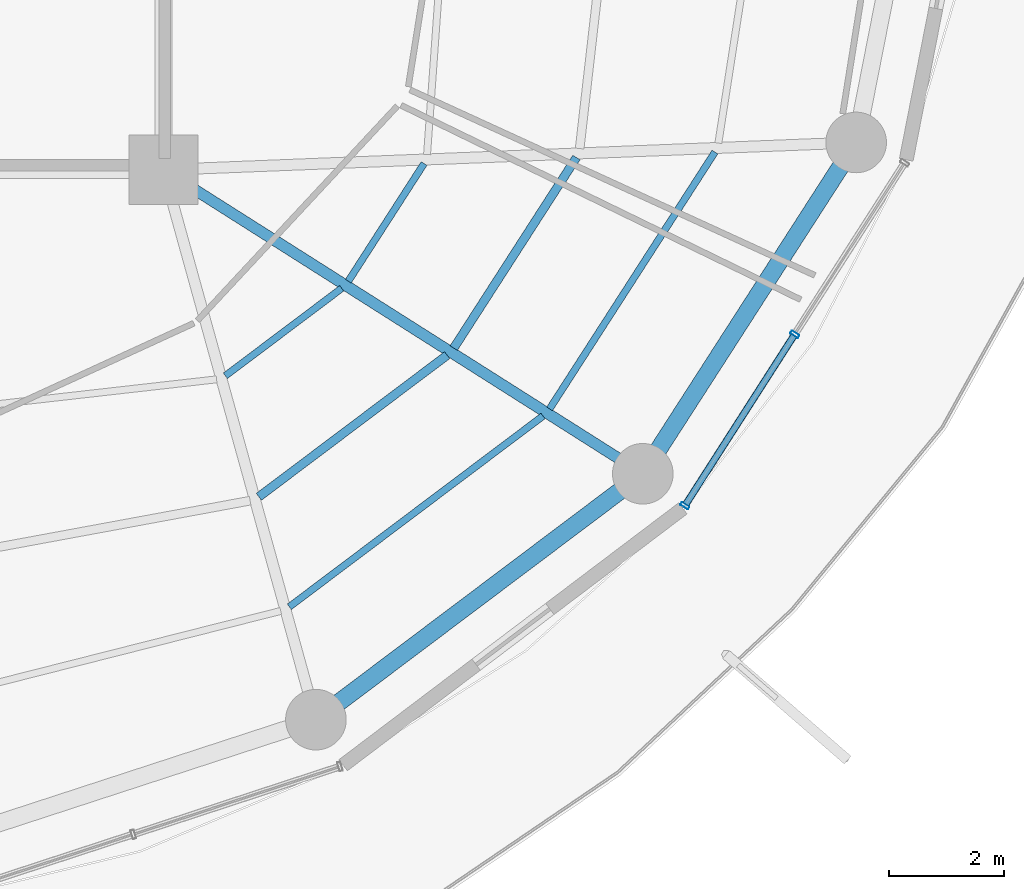
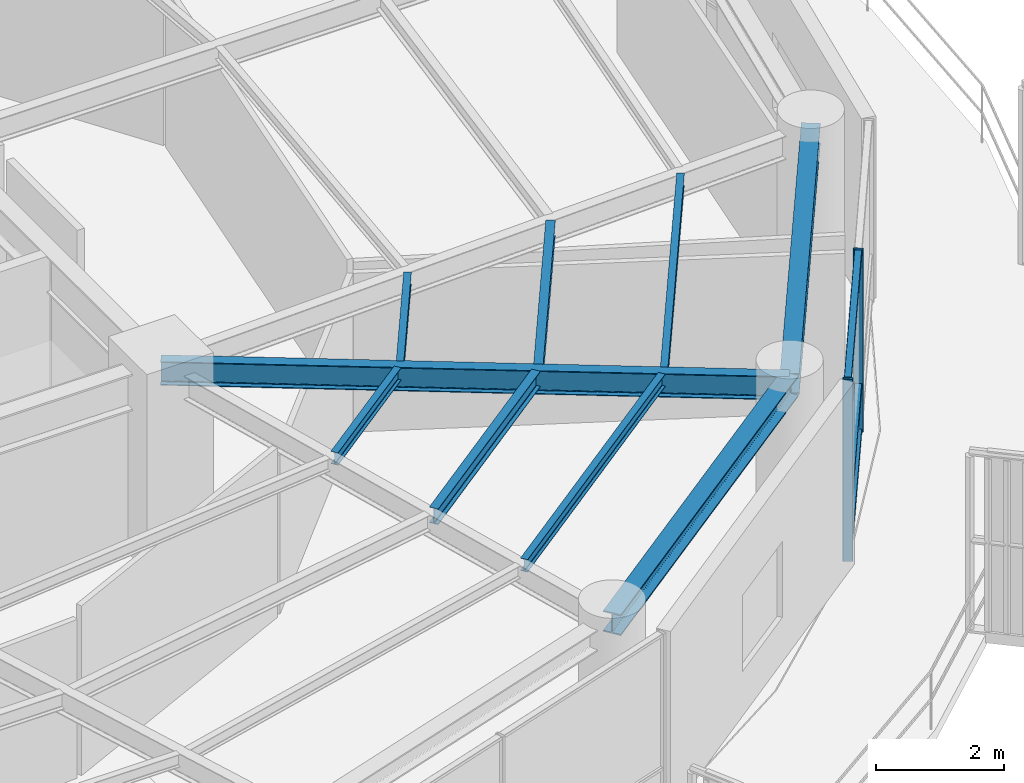
# One storey, part 11 of 30: 9 beams, 5 members, 1 element without a shape of its own.
"""IFC4 building model written with IfcOpenShell, lengths in metres."""

import ifcopenshell
import ifcopenshell.guid

model = None  # the IFC model being written
_history = None  # IfcOwnerHistory: only IFC2X3 demands one
_inside = {}  # id of a spatial element -> (the spatial element, [elements in it])
_under = {}  # id of a project, library or spatial element -> (it, [spatial elements below it])
_declared = {}  # id of a project -> (the project, [libraries it declares])
_typed = {}  # id of a type object -> (the type object, [elements of that type])
_made_of = {}  # id of a material, layer set ... -> (it, [elements and type objects made of it])


def new_model(schema):
    """Start an empty IFC model of exactly this schema.

    Asked for "IFC4X3", IfcOpenShell would pick the latest addendum, in which some entities
    have other attributes; the version numbers below select the first issue.
    IFC2X3 requires an IfcOwnerHistory on every rooted entity: one is made here for all.
    """
    global model, _history
    if schema == "IFC4X3":
        model = ifcopenshell.file(schema_version=(4, 3, 0, 0))
    else:
        model = ifcopenshell.file(schema=schema)
    _inside.clear()
    _under.clear()
    _declared.clear()
    _typed.clear()
    _made_of.clear()
    _history = None
    if model.schema == "IFC2X3":
        org = make("IfcOrganization", Name="unknown")
        user = make(
            "IfcPersonAndOrganization",
            ThePerson=make("IfcPerson", FamilyName="unknown"),
            TheOrganization=org,
        )
        app = make(
            "IfcApplication",
            ApplicationDeveloper=org,
            Version="unknown",
            ApplicationFullName="unknown",
            ApplicationIdentifier="unknown",
        )
        _history = make(
            "IfcOwnerHistory",
            OwningUser=user,
            OwningApplication=app,
            ChangeAction="ADDED",
            CreationDate=0,
        )
    return model


def make(cls, **values):
    """One entity of the class cls with the attributes given. An attribute that is None is left unset."""
    return model.create_entity(
        cls, **{name: value for name, value in values.items() if value is not None}
    )


def rooted(cls, **values):
    """An entity with a GlobalId (a new one), such as an element, a storey or a relation."""
    return make(cls, GlobalId=ifcopenshell.guid.new(), OwnerHistory=_history, **values)


def si_unit(unit_type, name, prefix=None):
    """IfcSIUnit, for example si_unit("LENGTHUNIT", "METRE", prefix="MILLI")."""
    return make("IfcSIUnit", UnitType=unit_type, Prefix=prefix, Name=name)


def assignment(units):
    """IfcUnitAssignment: the units of a project."""
    return None if units is None else make("IfcUnitAssignment", Units=units)


def point(xyz):
    """IfcCartesianPoint."""
    return None if xyz is None else make("IfcCartesianPoint", Coordinates=xyz)


def direction(xyz):
    """IfcDirection."""
    return None if xyz is None else make("IfcDirection", DirectionRatios=xyz)


def frame(location, z_axis=None, x_axis=None):
    """IfcAxis2Placement3D, a coordinate frame: its origin and axes. An axis left out is left unset."""
    return make(
        "IfcAxis2Placement3D",
        Location=point(location),
        Axis=direction(z_axis),
        RefDirection=direction(x_axis),
    )


def frame_2d(location, x_axis=None):
    """IfcAxis2Placement2D, a coordinate frame in the plane: its origin and x axis."""
    return make(
        "IfcAxis2Placement2D", Location=point(location), RefDirection=direction(x_axis)
    )


def origin():
    """The frame at (0, 0, 0) with its axes left unset."""
    return frame((0.0, 0.0, 0.0))


def origin_2d():
    """The frame at (0, 0) in the plane with its x axis left unset."""
    return frame_2d((0.0, 0.0))


def place(relative_to, where):
    """IfcLocalPlacement: puts the frame where relative to a parent placement (None: the world)."""
    return make(
        "IfcLocalPlacement", PlacementRelTo=relative_to, RelativePlacement=where
    )


def context(
    kind, dimensions, precision=None, world=None, true_north=None, identifier=None
):
    """IfcGeometricRepresentationContext, for example the 3D "Model" context."""
    return make(
        "IfcGeometricRepresentationContext",
        ContextIdentifier=identifier,
        ContextType=kind,
        CoordinateSpaceDimension=dimensions,
        Precision=precision,
        WorldCoordinateSystem=world,
        TrueNorth=true_north,
    )


def subcontext(parent, identifier, kind, view, scale=None):
    """IfcGeometricRepresentationSubContext, for example "Body" below "Model"."""
    return make(
        "IfcGeometricRepresentationSubContext",
        ContextIdentifier=identifier,
        ContextType=kind,
        ParentContext=parent,
        TargetScale=scale,
        TargetView=view,
    )


def project(units=None, contexts=None):
    """IfcProject with its units and contexts."""
    return rooted(
        "IfcProject",
        Name="project",
        RepresentationContexts=contexts,
        UnitsInContext=assignment(units),
    )


def spatial(cls, under=None, at=None, **own):
    """A site, building, storey or space (cls), placed at a placement, below another one or the project."""
    s = rooted(cls, ObjectPlacement=at, **own)
    if under is not None:
        _under.setdefault(under.id(), (under, []))[1].append(s)
    return s


def profile(cls, at=None, kind="AREA", **sizes):
    """A parametric profile (cls). Its sizes go by their IFC names, for example OverallWidth=200.0."""
    return make(cls, ProfileType=kind, Position=at, **sizes)


def hollow_rectangle(**sizes):
    """IfcRectangleHollowProfileDef."""
    return profile("IfcRectangleHollowProfileDef", **sizes)


def i_section(**sizes):
    """IfcIShapeProfileDef."""
    return profile("IfcIShapeProfileDef", **sizes)


def extrude(swept, where, along, depth):
    """IfcExtrudedAreaSolid: the profile swept, set in the frame where, extruded along a direction by depth."""
    return make(
        "IfcExtrudedAreaSolid",
        SweptArea=swept,
        Position=where,
        ExtrudedDirection=direction(along),
        Depth=depth,
    )


def shape(context_of_items, identifier, shape_type, items):
    """IfcShapeRepresentation: the items that make up one representation, for example the "Body"."""
    return make(
        "IfcShapeRepresentation",
        ContextOfItems=context_of_items,
        RepresentationIdentifier=identifier,
        RepresentationType=shape_type,
        Items=items,
    )


def material(Name=None, Category=None):
    """IfcMaterial."""
    return make("IfcMaterial", Name=Name, Category=Category)


def layer(
    of_material, thickness, ventilated=None, Name=None, Category=None, Priority=None
):
    """IfcMaterialLayer: one layer of a wall or slab, of a material (None: an air gap)."""
    return make(
        "IfcMaterialLayer",
        Material=of_material,
        LayerThickness=thickness,
        IsVentilated=ventilated,
        Name=Name,
        Category=Category,
        Priority=Priority,
    )


def layer_set(layers, Name=None):
    """IfcMaterialLayerSet."""
    return make("IfcMaterialLayerSet", MaterialLayers=layers, LayerSetName=Name)


def material_profile(
    of_material, cross_section, Name=None, Category=None, Priority=None
):
    """IfcMaterialProfile: a cross section and its material."""
    return make(
        "IfcMaterialProfile",
        Name=Name,
        Material=of_material,
        Profile=cross_section,
        Priority=Priority,
        Category=Category,
    )


def profile_set(profiles, Name=None, composite=None):
    """IfcMaterialProfileSet."""
    return make(
        "IfcMaterialProfileSet",
        Name=Name,
        MaterialProfiles=profiles,
        CompositeProfile=composite,
    )


def made_of(thing, what):
    """Note that an element or type object is made of a material, layer set ...; save() writes the relation."""
    if what is not None:
        _made_of.setdefault(what.id(), (what, []))[1].append(thing)
    return thing


def type_object(cls, material=None, **own):
    """A type object (cls), such as IfcWallType, which elements share."""
    return made_of(rooted(cls, **own), material)


def element(
    cls,
    number,
    at=None,
    inside=None,
    cuts=None,
    type_object=None,
    material=None,
    context=None,
    identifier="Body",
    shape_type=None,
    held_by="IfcProductDefinitionShape",
    body=None,
    shapes=None,
    **own,
):
    """One element of the class cls, such as IfcWall. Its Tag is "e" and its number.

    at: its placement. inside: the storey or other place that contains it. cuts: it is an
    opening in that element (IfcRelVoidsElement). A single representation is given by context,
    identifier, shape_type and body (its items); several are given by shapes. held_by: the class
    of the entity that holds the representations. save() writes the other relations.
    """
    e = rooted(cls, Tag="e%d" % number, ObjectPlacement=at, **own)
    if body is not None:
        shapes = [shape(context, identifier, shape_type, body)]
    if shapes is not None:
        e.Representation = make(held_by, Representations=shapes)
    if inside is not None:
        _inside.setdefault(inside.id(), (inside, []))[1].append(e)
    if cuts is not None:
        rooted(
            "IfcRelVoidsElement", RelatingBuildingElement=cuts, RelatedOpeningElement=e
        )
    if type_object is not None:
        _typed.setdefault(type_object.id(), (type_object, []))[1].append(e)
    return made_of(e, material)


def aggregate(whole, parts):
    """IfcRelAggregates: a whole, such as a stair, and the parts it consists of."""
    return rooted("IfcRelAggregates", RelatingObject=whole, RelatedObjects=parts)


def save(model, path):
    """Write the relations noted so far, then the file.

    IfcRelAggregates (storeys below a building ...), IfcRelContainedInSpatialStructure (elements
    in a storey), IfcRelDefinesByType, IfcRelAssociatesMaterial and IfcRelDeclares: one each for
    every whole, place, type object, material and project.
    """
    for whole, parts in _under.values():
        aggregate(whole, parts)
    for where, things in _inside.values():
        rooted(
            "IfcRelContainedInSpatialStructure",
            RelatedElements=things,
            RelatingStructure=where,
        )
    for kind, things in _typed.values():
        rooted("IfcRelDefinesByType", RelatedObjects=things, RelatingType=kind)
    for what, things in _made_of.values():
        rooted("IfcRelAssociatesMaterial", RelatedObjects=things, RelatingMaterial=what)
    for by, libraries in _declared.values():
        rooted("IfcRelDeclares", RelatingContext=by, RelatedDefinitions=libraries)
    model.write(path)


model = new_model("IFC4")

# Units and contexts
model_context = context("Model", 3, precision=1e-05, world=origin(), true_north=direction((0.0, 1.0)))
body_context = subcontext(model_context, "Body", "Model", "MODEL_VIEW")
ifc_project = project(units=[si_unit("LENGTHUNIT", "METRE"), si_unit("AREAUNIT", "SQUARE_METRE"), si_unit("VOLUMEUNIT", "CUBIC_METRE"), si_unit("PLANEANGLEUNIT", "RADIAN"), si_unit("MASSUNIT", "GRAM", prefix="KILO")], contexts=[model_context])

# Site, building, storey
site_placement = place(None, origin())
site = spatial("IfcSite", under=ifc_project, at=site_placement, CompositionType="ELEMENT")
building_placement = place(site_placement, origin())
building = spatial("IfcBuilding", under=site, at=building_placement, Name="Kelanora Arch Commons", CompositionType="ELEMENT")
storey_placement = place(building_placement, frame((0.0, 0.0, 215.699951171875)))
storey = spatial("IfcBuildingStorey", under=building, at=storey_placement, Name="L55", CompositionType="ELEMENT", Elevation=215.699951171875)

# Beams
ifc_material_1 = material(Name="Steel S355", Category="steel")
ifc_material_profile_1 = material_profile(ifc_material_1, i_section(OverallWidth=0.14990234375, OverallDepth=0.300048828125, WebThickness=0.007080078125, FlangeThickness=0.0107421875, FilletRadius=0.014892578125, at=origin_2d()), Name="IPE300")
ifc_profile_set_1 = profile_set([ifc_material_profile_1], Name="Steel S355")
beam_type_1 = type_object("IfcBeamType", Name="BM-JST-01", PredefinedType="JOIST", material=ifc_profile_set_1)
beam_1_placement = place(storey_placement, frame((83.65185546875, 45.3369140625, 3.340087890625), z_axis=(0.799101708656, 0.601195857624, 0.0), x_axis=(-0.601195857624, 0.799101708656, 0.0)))
element("IfcBeam", 1, at=beam_1_placement, inside=storey, type_object=beam_type_1, Name="Secondary Chord Joist BJB-30 L55", PredefinedType="JOIST", context=body_context, shape_type="SweptSolid", body=[
    extrude(i_section(OverallWidth=0.14990234375, OverallDepth=0.300048828125, WebThickness=0.007080078125, FlangeThickness=0.0107421875, FilletRadius=0.014892578125, at=origin_2d()), origin(), (0.0, 0.0, 1.0), 4.080810546875),
])
beam_2_placement = place(storey_placement, frame((87.02685546875, 47.912841796875, 3.340087890625), z_axis=(0.541411265892, 0.840757896879, 0.0), x_axis=(-0.840757896879, 0.541411265892, 0.0)))
element("IfcBeam", 2, at=beam_2_placement, inside=storey, type_object=beam_type_1, Name="Secondary Chord Joist BJB-32 L55", PredefinedType="JOIST", context=body_context, shape_type="SweptSolid", body=[
    extrude(i_section(OverallWidth=0.14990234375, OverallDepth=0.300048828125, WebThickness=0.007080078125, FlangeThickness=0.0107421875, FilletRadius=0.014892578125, at=origin_2d()), origin(), (0.0, 0.0, 1.0), 3.92529296875),
])
ifc_material_profile_2 = material_profile(ifc_material_1, i_section(OverallWidth=0.1201171875, OverallDepth=0.239990234375, WebThickness=0.006103515625, FlangeThickness=0.009765625, FilletRadius=0.014892578125, at=origin_2d()), Name="IPE240")
ifc_profile_set_2 = profile_set([ifc_material_profile_2], Name="Steel S355")
beam_type_2 = type_object("IfcBeamType", Name="BM-JST-02", PredefinedType="JOIST", material=ifc_profile_set_2)
beam_3_placement = place(storey_placement, frame((83.071044921875, 47.43212890625, 3.3701171875), z_axis=(0.79911638933, 0.601176343766, 0.0), x_axis=(-0.601176343766, 0.79911638933, 0.0)))
element("IfcBeam", 3, at=beam_3_placement, inside=storey, type_object=beam_type_2, Name="Secondary Chord Joist BJA-30 L55", PredefinedType="JOIST", context=body_context, shape_type="SweptSolid", body=[
    extrude(i_section(OverallWidth=0.1201171875, OverallDepth=0.239990234375, WebThickness=0.006103515625, FlangeThickness=0.009765625, FilletRadius=0.014892578125, at=origin_2d()), origin(), (0.0, 0.0, 1.0), 2.522216796875),
])
beam_4_placement = place(storey_placement, frame((84.179931640625, 43.43212890625, 3.3701171875), z_axis=(0.799109197935, 0.601185902842, 0.0), x_axis=(-0.601185902842, 0.799109197935, 0.0)))
element("IfcBeam", 4, at=beam_4_placement, inside=storey, type_object=beam_type_2, Name="Secondary Chord Joist BJC-30 L55", PredefinedType="JOIST", context=body_context, shape_type="SweptSolid", body=[
    extrude(i_section(OverallWidth=0.1201171875, OverallDepth=0.239990234375, WebThickness=0.006103515625, FlangeThickness=0.009765625, FilletRadius=0.014892578125, at=origin_2d()), origin(), (0.0, 0.0, 1.0), 5.497802734375),
])
beam_5_placement = place(storey_placement, frame((85.20068359375, 49.071044921875, 3.3701171875), z_axis=(0.541332763503, 0.840808443796, 0.0), x_axis=(-0.840808443796, 0.541332763503, 0.0)))
element("IfcBeam", 5, at=beam_5_placement, inside=storey, type_object=beam_type_2, Name="Secondary Chord Joist BJA-32 L55", PredefinedType="JOIST", context=body_context, shape_type="SweptSolid", body=[
    extrude(i_section(OverallWidth=0.1201171875, OverallDepth=0.239990234375, WebThickness=0.006103515625, FlangeThickness=0.009765625, FilletRadius=0.014892578125, at=origin_2d()), origin(), (0.0, 0.0, 1.0), 2.423583984375),
])
beam_6_placement = place(storey_placement, frame((88.68701171875, 46.85986328125, 3.3701171875), z_axis=(0.541382492679, 0.840776424872, 0.0), x_axis=(-0.840776424872, 0.541382492679, 0.0)))
element("IfcBeam", 6, at=beam_6_placement, inside=storey, type_object=beam_type_2, Name="Secondary Chord Joist BJC-32 L55", PredefinedType="JOIST", context=body_context, shape_type="SweptSolid", body=[
    extrude(i_section(OverallWidth=0.1201171875, OverallDepth=0.239990234375, WebThickness=0.006103515625, FlangeThickness=0.009765625, FilletRadius=0.014892578125, at=origin_2d()), origin(), (0.0, 0.0, 1.0), 5.29052734375),
])
ifc_material_profile_3 = material_profile(ifc_material_1, i_section(OverallWidth=0.18994140625, OverallDepth=0.449951171875, WebThickness=0.009521484375, FlangeThickness=0.0146484375, FilletRadius=0.02099609375, at=origin_2d()), Name="IPE450")
ifc_profile_set_3 = profile_set([ifc_material_profile_3], Name="Steel S355")
beam_type_3 = type_object("IfcBeamType", Name="BM-RAD-Z4", PredefinedType="BEAM", material=ifc_profile_set_3)
beam_7_placement = place(storey_placement, frame((82.0, 51.0, 3.26513671875), z_axis=(0.844507208607, -0.535544185489, 0.0), x_axis=(0.535544185489, 0.844507208607, 0.0)))
element("IfcBeam", 7, at=beam_7_placement, inside=storey, type_object=beam_type_3, Name="Radial Floor Girder BR-32 L55", PredefinedType="BEAM", context=body_context, shape_type="SweptSolid", body=[
    extrude(i_section(OverallWidth=0.18994140625, OverallDepth=0.449951171875, WebThickness=0.009521484375, FlangeThickness=0.0146484375, FilletRadius=0.02099609375, at=origin_2d()), origin(), (0.0, 0.0, 1.0), 9.830078125),
])
ifc_material_profile_4 = material_profile(ifc_material_1, i_section(OverallWidth=0.300048828125, OverallDepth=0.39990234375, WebThickness=0.013427734375, FlangeThickness=0.02392578125, FilletRadius=0.027099609375, at=origin_2d()), Name="HEB400")
ifc_profile_set_4 = profile_set([ifc_material_profile_4], Name="Steel S355")
beam_type_4 = type_object("IfcBeamType", Name="BM-SPN-Z4", PredefinedType="SPANDREL", material=ifc_profile_set_4)
beam_8_placement = place(storey_placement, frame((84.639892578125, 41.476318359375, 3.2900390625), z_axis=(0.799114211715, 0.60117923836, 0.0), x_axis=(-0.60117923836, 0.799114211715, 0.0)))
element("IfcBeam", 8, at=beam_8_placement, inside=storey, type_object=beam_type_4, Name="Perimeter Spandrel Beam BS-30 L55", PredefinedType="SPANDREL", context=body_context, shape_type="SweptSolid", body=[
    extrude(i_section(OverallWidth=0.300048828125, OverallDepth=0.39990234375, WebThickness=0.013427734375, FlangeThickness=0.02392578125, FilletRadius=0.027099609375, at=origin_2d()), origin(), (0.0, 0.0, 1.0), 7.0849609375),
])
beam_9_placement = place(storey_placement, frame((90.301513671875, 45.735595703125, 3.2900390625), z_axis=(0.541364878868, 0.840787766281, 0.0), x_axis=(-0.840787766281, 0.541364878868, 0.0)))
element("IfcBeam", 9, at=beam_9_placement, inside=storey, type_object=beam_type_4, Name="Perimeter Spandrel Beam BS-32 L55", PredefinedType="SPANDREL", context=body_context, shape_type="SweptSolid", body=[
    extrude(i_section(OverallWidth=0.300048828125, OverallDepth=0.39990234375, WebThickness=0.013427734375, FlangeThickness=0.02392578125, FilletRadius=0.027099609375, at=origin_2d()), origin(), (0.0, 0.0, 1.0), 6.825439453125),
])

# Curtain wall, members
ifc_material_2 = material(Name="Terracotta ceramic-fritted low-E glass and aluminium", Category="masonry")
ifc_layer = layer(ifc_material_2, 0.175048828125)
ifc_layer_set = layer_set([ifc_layer], Name="Terracotta ceramic-fritted low-E glass and aluminium")
curtain_wall_type = type_object("IfcCurtainWallType", Name="CW-SYS-02", PredefinedType="NOTDEFINED", material=ifc_layer_set)
curtain_wall_placement = place(storey_placement, origin())
curtain_wall = element("IfcCurtainWall", 10, at=curtain_wall_placement, inside=storey, type_object=curtain_wall_type, Name="Unitised Curtain Wall L55-B16", PredefinedType="NOTDEFINED")
ifc_material_3 = material(Name="Powder-coated aluminium terracotta", Category="masonry")
ifc_material_profile_5 = material_profile(ifc_material_3, hollow_rectangle(XDim=0.159912109375, YDim=0.06005859375, WallThickness=0.0048828125, InnerFilletRadius=0.0048828125, OuterFilletRadius=0.010009765625, at=origin_2d()), Name="CWM160x60")
ifc_profile_set_5 = profile_set([ifc_material_profile_5], Name="Powder-coated aluminium terracotta")
member_type_1 = type_object("IfcMemberType", Name="CWM-STD", PredefinedType="MULLION", material=ifc_profile_set_5)
member_1_placement = place(storey_placement, frame((91.030517578125, 45.18212890625, 0.0), z_axis=(0.0, 0.0, 1.0), x_axis=(-0.84194757539, 0.539559338994, 0.0)))
member_1 = element("IfcMember", 11, at=member_1_placement, type_object=member_type_1, Name="CW-02 mullion 1", PredefinedType="MULLION", context=body_context, shape_type="SweptSolid", body=[
    extrude(hollow_rectangle(XDim=0.159912109375, YDim=0.06005859375, WallThickness=0.0048828125, InnerFilletRadius=0.0048828125, OuterFilletRadius=0.010009765625, at=origin_2d()), origin(), (0.0, 0.0, 1.0), 3.47509765625),
])
member_2_placement = place(storey_placement, frame((92.93359375, 48.15185546875, 0.0), z_axis=(0.0, 0.0, 1.0), x_axis=(-0.84194757539, 0.539559338994, 0.0)))
member_2 = element("IfcMember", 12, at=member_2_placement, type_object=member_type_1, Name="CW-02 mullion 2", PredefinedType="MULLION", context=body_context, shape_type="SweptSolid", body=[
    extrude(hollow_rectangle(XDim=0.159912109375, YDim=0.06005859375, WallThickness=0.0048828125, InnerFilletRadius=0.0048828125, OuterFilletRadius=0.010009765625, at=origin_2d()), origin(), (0.0, 0.0, 1.0), 3.47509765625),
])
ifc_material_profile_6 = material_profile(ifc_material_3, hollow_rectangle(XDim=0.1201171875, YDim=0.06005859375, WallThickness=0.0048828125, InnerFilletRadius=0.0048828125, OuterFilletRadius=0.010009765625, at=origin_2d()), Name="CWT120x60")
ifc_profile_set_6 = profile_set([ifc_material_profile_6], Name="Powder-coated aluminium terracotta")
member_type_2 = type_object("IfcMemberType", Name="CWT-STD", PredefinedType="USERDEFINED", material=ifc_profile_set_6)
member_3_placement = place(storey_placement, frame((91.046630859375, 45.207275390625, 0.030029296875), z_axis=(0.53954710894, 0.841955412854, 0.0), x_axis=(-0.841955412854, 0.53954710894, 0.0)))
member_3 = element("IfcMember", 13, at=member_3_placement, type_object=member_type_2, Name="CW-02 transom 1.1", ObjectType="TRANSOM", PredefinedType="USERDEFINED", context=body_context, shape_type="SweptSolid", body=[
    extrude(hollow_rectangle(XDim=0.1201171875, YDim=0.06005859375, WallThickness=0.0048828125, InnerFilletRadius=0.0048828125, OuterFilletRadius=0.010009765625, at=origin_2d()), origin(), (0.0, 0.0, 1.0), 3.467529296875),
])
member_4_placement = place(storey_placement, frame((91.046630859375, 45.207275390625, 0.900146484375), z_axis=(0.53954710894, 0.841955412854, 0.0), x_axis=(-0.841955412854, 0.53954710894, 0.0)))
member_4 = element("IfcMember", 14, at=member_4_placement, type_object=member_type_2, Name="CW-02 transom 1.2", ObjectType="TRANSOM", PredefinedType="USERDEFINED", context=body_context, shape_type="SweptSolid", body=[
    extrude(hollow_rectangle(XDim=0.1201171875, YDim=0.06005859375, WallThickness=0.0048828125, InnerFilletRadius=0.0048828125, OuterFilletRadius=0.010009765625, at=origin_2d()), origin(), (0.0, 0.0, 1.0), 3.467529296875),
])
member_5_placement = place(storey_placement, frame((91.046630859375, 45.207275390625, 3.445068359375), z_axis=(0.53954710894, 0.841955412854, 0.0), x_axis=(-0.841955412854, 0.53954710894, 0.0)))
member_5 = element("IfcMember", 15, at=member_5_placement, type_object=member_type_2, Name="CW-02 transom 1.3", ObjectType="TRANSOM", PredefinedType="USERDEFINED", context=body_context, shape_type="SweptSolid", body=[
    extrude(hollow_rectangle(XDim=0.1201171875, YDim=0.06005859375, WallThickness=0.0048828125, InnerFilletRadius=0.0048828125, OuterFilletRadius=0.010009765625, at=origin_2d()), origin(), (0.0, 0.0, 1.0), 3.467529296875),
])
aggregate(curtain_wall, [member_1, member_2, member_3, member_4, member_5])

save(model, "model.ifc")
